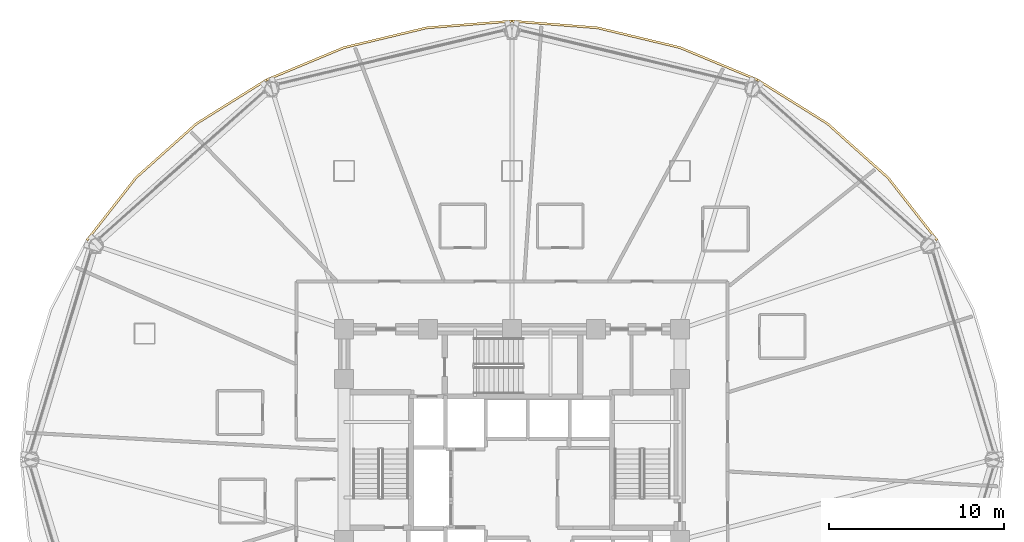
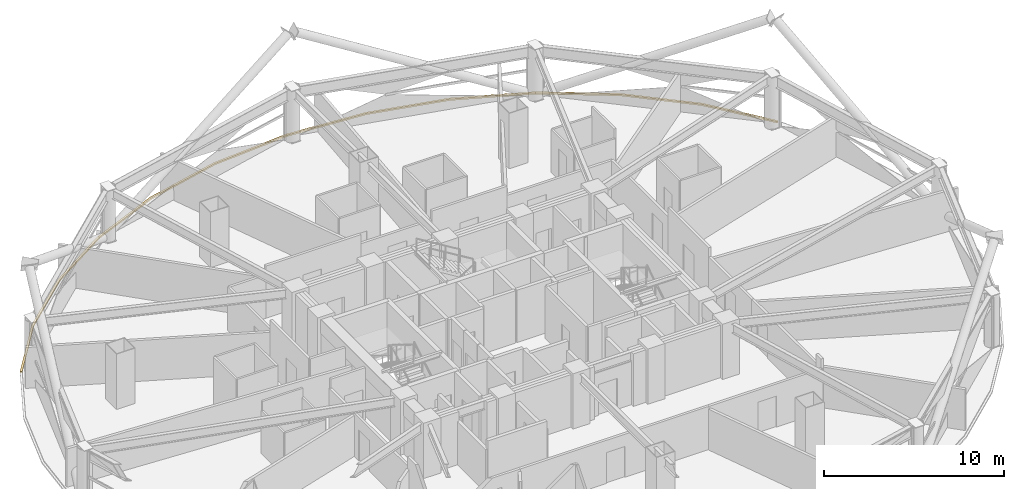
# One storey, part 30 of 30: 4 coverings.
"""IFC4 building model written with IfcOpenShell, lengths in metres."""

import ifcopenshell
import ifcopenshell.guid

model = None  # the IFC model being written
_history = None  # IfcOwnerHistory: only IFC2X3 demands one
_inside = {}  # id of a spatial element -> (the spatial element, [elements in it])
_under = {}  # id of a project, library or spatial element -> (it, [spatial elements below it])
_declared = {}  # id of a project -> (the project, [libraries it declares])
_typed = {}  # id of a type object -> (the type object, [elements of that type])
_made_of = {}  # id of a material, layer set ... -> (it, [elements and type objects made of it])


def new_model(schema):
    """Start an empty IFC model of exactly this schema.

    Asked for "IFC4X3", IfcOpenShell would pick the latest addendum, in which some entities
    have other attributes; the version numbers below select the first issue.
    IFC2X3 requires an IfcOwnerHistory on every rooted entity: one is made here for all.
    """
    global model, _history
    if schema == "IFC4X3":
        model = ifcopenshell.file(schema_version=(4, 3, 0, 0))
    else:
        model = ifcopenshell.file(schema=schema)
    _inside.clear()
    _under.clear()
    _declared.clear()
    _typed.clear()
    _made_of.clear()
    _history = None
    if model.schema == "IFC2X3":
        org = make("IfcOrganization", Name="unknown")
        user = make(
            "IfcPersonAndOrganization",
            ThePerson=make("IfcPerson", FamilyName="unknown"),
            TheOrganization=org,
        )
        app = make(
            "IfcApplication",
            ApplicationDeveloper=org,
            Version="unknown",
            ApplicationFullName="unknown",
            ApplicationIdentifier="unknown",
        )
        _history = make(
            "IfcOwnerHistory",
            OwningUser=user,
            OwningApplication=app,
            ChangeAction="ADDED",
            CreationDate=0,
        )
    return model


def make(cls, **values):
    """One entity of the class cls with the attributes given. An attribute that is None is left unset."""
    return model.create_entity(
        cls, **{name: value for name, value in values.items() if value is not None}
    )


def rooted(cls, **values):
    """An entity with a GlobalId (a new one), such as an element, a storey or a relation."""
    return make(cls, GlobalId=ifcopenshell.guid.new(), OwnerHistory=_history, **values)


def si_unit(unit_type, name, prefix=None):
    """IfcSIUnit, for example si_unit("LENGTHUNIT", "METRE", prefix="MILLI")."""
    return make("IfcSIUnit", UnitType=unit_type, Prefix=prefix, Name=name)


def assignment(units):
    """IfcUnitAssignment: the units of a project."""
    return None if units is None else make("IfcUnitAssignment", Units=units)


def point(xyz):
    """IfcCartesianPoint."""
    return None if xyz is None else make("IfcCartesianPoint", Coordinates=xyz)


def direction(xyz):
    """IfcDirection."""
    return None if xyz is None else make("IfcDirection", DirectionRatios=xyz)


def frame(location, z_axis=None, x_axis=None):
    """IfcAxis2Placement3D, a coordinate frame: its origin and axes. An axis left out is left unset."""
    return make(
        "IfcAxis2Placement3D",
        Location=point(location),
        Axis=direction(z_axis),
        RefDirection=direction(x_axis),
    )


def origin():
    """The frame at (0, 0, 0) with its axes left unset."""
    return frame((0.0, 0.0, 0.0))


def place(relative_to, where):
    """IfcLocalPlacement: puts the frame where relative to a parent placement (None: the world)."""
    return make(
        "IfcLocalPlacement", PlacementRelTo=relative_to, RelativePlacement=where
    )


def context(
    kind, dimensions, precision=None, world=None, true_north=None, identifier=None
):
    """IfcGeometricRepresentationContext, for example the 3D "Model" context."""
    return make(
        "IfcGeometricRepresentationContext",
        ContextIdentifier=identifier,
        ContextType=kind,
        CoordinateSpaceDimension=dimensions,
        Precision=precision,
        WorldCoordinateSystem=world,
        TrueNorth=true_north,
    )


def subcontext(parent, identifier, kind, view, scale=None):
    """IfcGeometricRepresentationSubContext, for example "Body" below "Model"."""
    return make(
        "IfcGeometricRepresentationSubContext",
        ContextIdentifier=identifier,
        ContextType=kind,
        ParentContext=parent,
        TargetScale=scale,
        TargetView=view,
    )


def project(units=None, contexts=None):
    """IfcProject with its units and contexts."""
    return rooted(
        "IfcProject",
        Name="project",
        RepresentationContexts=contexts,
        UnitsInContext=assignment(units),
    )


def spatial(cls, under=None, at=None, **own):
    """A site, building, storey or space (cls), placed at a placement, below another one or the project."""
    s = rooted(cls, ObjectPlacement=at, **own)
    if under is not None:
        _under.setdefault(under.id(), (under, []))[1].append(s)
    return s


def polyline(points):
    """IfcPolyline through the points."""
    return make("IfcPolyline", Points=[point(p) for p in points])


def outline(outer, holes=None, kind="AREA"):
    """IfcArbitraryClosedProfileDef: a profile drawn as a closed curve; with holes, ...WithVoids."""
    if holes is None:
        return make("IfcArbitraryClosedProfileDef", ProfileType=kind, OuterCurve=outer)
    return make(
        "IfcArbitraryProfileDefWithVoids",
        ProfileType=kind,
        OuterCurve=outer,
        InnerCurves=holes,
    )


def extrude(swept, where, along, depth):
    """IfcExtrudedAreaSolid: the profile swept, set in the frame where, extruded along a direction by depth."""
    return make(
        "IfcExtrudedAreaSolid",
        SweptArea=swept,
        Position=where,
        ExtrudedDirection=direction(along),
        Depth=depth,
    )


def shape(context_of_items, identifier, shape_type, items):
    """IfcShapeRepresentation: the items that make up one representation, for example the "Body"."""
    return make(
        "IfcShapeRepresentation",
        ContextOfItems=context_of_items,
        RepresentationIdentifier=identifier,
        RepresentationType=shape_type,
        Items=items,
    )


def material(Name=None, Category=None):
    """IfcMaterial."""
    return make("IfcMaterial", Name=Name, Category=Category)


def layer(
    of_material, thickness, ventilated=None, Name=None, Category=None, Priority=None
):
    """IfcMaterialLayer: one layer of a wall or slab, of a material (None: an air gap)."""
    return make(
        "IfcMaterialLayer",
        Material=of_material,
        LayerThickness=thickness,
        IsVentilated=ventilated,
        Name=Name,
        Category=Category,
        Priority=Priority,
    )


def layer_set(layers, Name=None):
    """IfcMaterialLayerSet."""
    return make("IfcMaterialLayerSet", MaterialLayers=layers, LayerSetName=Name)


def made_of(thing, what):
    """Note that an element or type object is made of a material, layer set ...; save() writes the relation."""
    if what is not None:
        _made_of.setdefault(what.id(), (what, []))[1].append(thing)
    return thing


def type_object(cls, material=None, **own):
    """A type object (cls), such as IfcWallType, which elements share."""
    return made_of(rooted(cls, **own), material)


def element(
    cls,
    number,
    at=None,
    inside=None,
    cuts=None,
    type_object=None,
    material=None,
    context=None,
    identifier="Body",
    shape_type=None,
    held_by="IfcProductDefinitionShape",
    body=None,
    shapes=None,
    **own,
):
    """One element of the class cls, such as IfcWall. Its Tag is "e" and its number.

    at: its placement. inside: the storey or other place that contains it. cuts: it is an
    opening in that element (IfcRelVoidsElement). A single representation is given by context,
    identifier, shape_type and body (its items); several are given by shapes. held_by: the class
    of the entity that holds the representations. save() writes the other relations.
    """
    e = rooted(cls, Tag="e%d" % number, ObjectPlacement=at, **own)
    if body is not None:
        shapes = [shape(context, identifier, shape_type, body)]
    if shapes is not None:
        e.Representation = make(held_by, Representations=shapes)
    if inside is not None:
        _inside.setdefault(inside.id(), (inside, []))[1].append(e)
    if cuts is not None:
        rooted(
            "IfcRelVoidsElement", RelatingBuildingElement=cuts, RelatedOpeningElement=e
        )
    if type_object is not None:
        _typed.setdefault(type_object.id(), (type_object, []))[1].append(e)
    return made_of(e, material)


def aggregate(whole, parts):
    """IfcRelAggregates: a whole, such as a stair, and the parts it consists of."""
    return rooted("IfcRelAggregates", RelatingObject=whole, RelatedObjects=parts)


def save(model, path):
    """Write the relations noted so far, then the file.

    IfcRelAggregates (storeys below a building ...), IfcRelContainedInSpatialStructure (elements
    in a storey), IfcRelDefinesByType, IfcRelAssociatesMaterial and IfcRelDeclares: one each for
    every whole, place, type object, material and project.
    """
    for whole, parts in _under.values():
        aggregate(whole, parts)
    for where, things in _inside.values():
        rooted(
            "IfcRelContainedInSpatialStructure",
            RelatedElements=things,
            RelatingStructure=where,
        )
    for kind, things in _typed.values():
        rooted("IfcRelDefinesByType", RelatedObjects=things, RelatingType=kind)
    for what, things in _made_of.values():
        rooted("IfcRelAssociatesMaterial", RelatedObjects=things, RelatingMaterial=what)
    for by, libraries in _declared.values():
        rooted("IfcRelDeclares", RelatingContext=by, RelatedDefinitions=libraries)
    model.write(path)


model = new_model("IFC4")

# Units and contexts
model_context = context("Model", 3, precision=1e-05, world=origin(), true_north=direction((0.0, 1.0)))
body_context = subcontext(model_context, "Body", "Model", "MODEL_VIEW")
ifc_project = project(units=[si_unit("LENGTHUNIT", "METRE"), si_unit("AREAUNIT", "SQUARE_METRE"), si_unit("VOLUMEUNIT", "CUBIC_METRE"), si_unit("PLANEANGLEUNIT", "RADIAN"), si_unit("MASSUNIT", "GRAM", prefix="KILO")], contexts=[model_context])

# Site, building, storey
site_placement = place(None, origin())
site = spatial("IfcSite", under=ifc_project, at=site_placement, CompositionType="ELEMENT")
building_placement = place(site_placement, origin())
building = spatial("IfcBuilding", under=site, at=building_placement, Name="Vantalir Tower", CompositionType="ELEMENT")
storey_placement = place(building_placement, frame((0.0, 0.0, 57.0)))
storey = spatial("IfcBuildingStorey", under=building, at=storey_placement, Name="L13", CompositionType="ELEMENT", Elevation=57.0)

# Coverings
ifc_material = material(Name="Anodised champagne aluminium sill fascia", Category="aluminium")
ifc_layer = layer(ifc_material, 0.125)
ifc_layer_set = layer_set([ifc_layer], Name="Anodised champagne aluminium sill fascia")
covering_type = type_object("IfcCoveringType", Name="COV-SLAB-FASCIA-125", PredefinedType="CLADDING", material=ifc_layer_set)
covering_1_placement = place(storey_placement, frame((0.0, 0.0, -0.179931640625)))
element("IfcCovering", 1, at=covering_1_placement, inside=storey, type_object=covering_type, Name="L13 Perimeter Slab-Edge Sill Fascia 02", PredefinedType="CLADDING", context=body_context, shape_type="SweptSolid", body=[
    extrude(outline(polyline([(55.85791015625, 37.56298828125), (53.0458984375, 41.15087890625), (49.5791015625, 44.248046875), (45.56298828125, 46.760009765625), (45.5009765625, 46.652099609375), (49.4990234375, 44.152099609375), (52.949951171875, 41.070068359375), (55.75, 37.5), (55.85791015625, 37.56298828125)])), origin(), (0.0, 0.0, 1.0), 0.10498046875),
])
covering_2_placement = place(storey_placement, frame((0.0, 0.0, -0.179931640625)))
element("IfcCovering", 2, at=covering_2_placement, inside=storey, type_object=covering_type, Name="L13 Perimeter Slab-Edge Sill Fascia 03", PredefinedType="CLADDING", context=body_context, shape_type="SweptSolid", body=[
    extrude(outline(polyline([(45.56298828125, 46.760009765625), (41.1201171875, 48.611083984375), (36.384033203125, 49.743896484375), (31.5, 50.1259765625), (31.5, 50.0009765625), (36.362060546875, 49.62109375), (41.076904296875, 48.492919921875), (45.5009765625, 46.652099609375), (45.56298828125, 46.760009765625)])), origin(), (0.0, 0.0, 1.0), 0.10498046875),
])
covering_3_placement = place(storey_placement, frame((0.0, 0.0, -0.179931640625)))
element("IfcCovering", 3, at=covering_3_placement, inside=storey, type_object=covering_type, Name="L13 Perimeter Slab-Edge Sill Fascia 04", PredefinedType="CLADDING", context=body_context, shape_type="SweptSolid", body=[
    extrude(outline(polyline([(31.5, 50.1259765625), (26.615966796875, 49.743896484375), (21.8798828125, 48.611083984375), (17.43701171875, 46.760009765625), (17.5, 46.652099609375), (21.923095703125, 48.492919921875), (26.637939453125, 49.62109375), (31.5, 50.0009765625), (31.5, 50.1259765625)])), origin(), (0.0, 0.0, 1.0), 0.10498046875),
])
covering_4_placement = place(storey_placement, frame((0.0, 0.0, -0.179931640625)))
element("IfcCovering", 4, at=covering_4_placement, inside=storey, type_object=covering_type, Name="L13 Perimeter Slab-Edge Sill Fascia 05", PredefinedType="CLADDING", context=body_context, shape_type="SweptSolid", body=[
    extrude(outline(polyline([(17.43701171875, 46.760009765625), (13.4208984375, 44.248046875), (9.9541015625, 41.15087890625), (7.14208984375, 37.56298828125), (7.25, 37.5), (10.050048828125, 41.070068359375), (13.5009765625, 44.152099609375), (17.5, 46.652099609375), (17.43701171875, 46.760009765625)])), origin(), (0.0, 0.0, 1.0), 0.10498046875),
])

save(model, "model.ifc")
